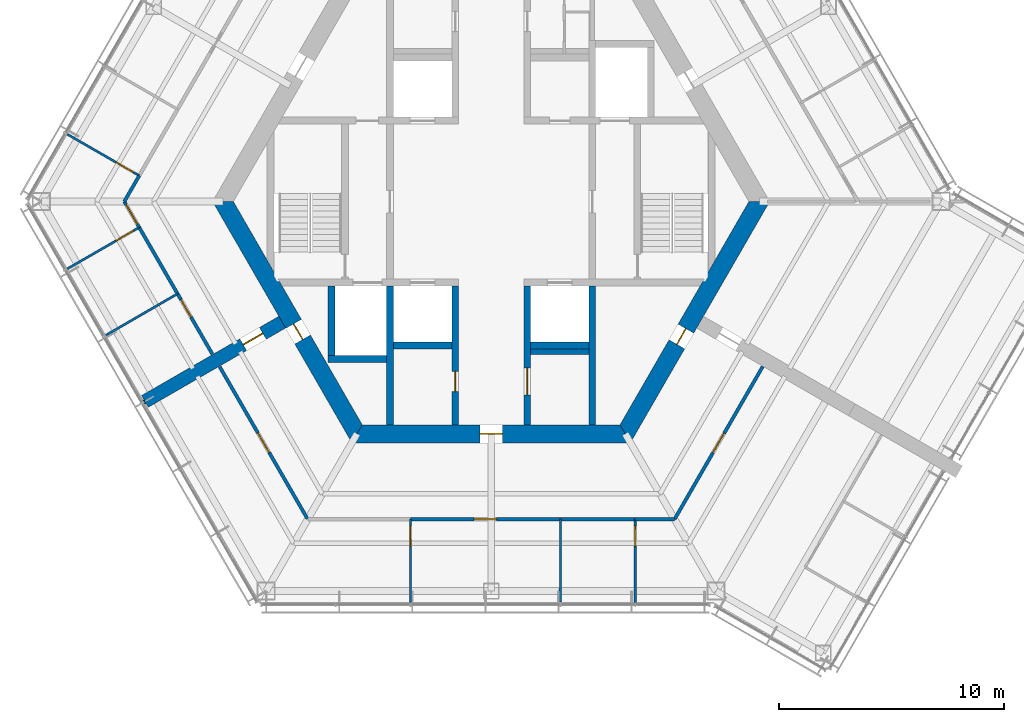
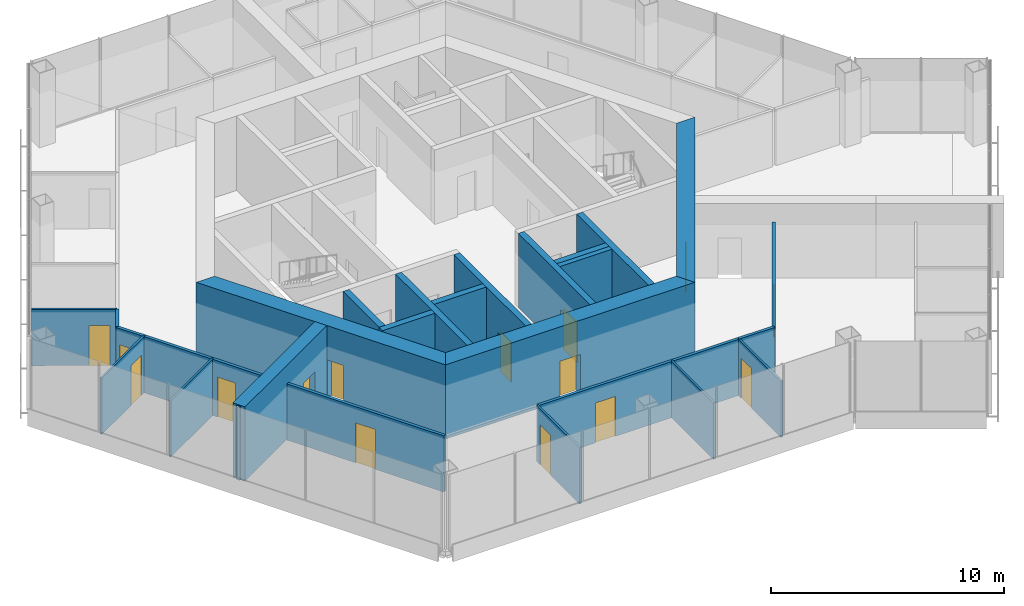
# One storey, part 7 of 13: 29 walls, 15 doors, 15 openings.
"""IFC4 building model written with IfcOpenShell, lengths in metres."""

from ifc_helpers import new_model, si_unit, direction, frame, frame_2d, origin, place, context, subcontext, project, spatial, polyline, rectangle, outline, extrude, material, layer, layer_set, type_object, element, fill, save


model = new_model("IFC4")

# Units and contexts
model_context = context("Model", 3, precision=1e-05, world=origin(), true_north=direction((0.0, 1.0)))
body_context = subcontext(model_context, "Body", "Model", "MODEL_VIEW")
ifc_project = project(units=[si_unit("LENGTHUNIT", "METRE"), si_unit("AREAUNIT", "SQUARE_METRE"), si_unit("VOLUMEUNIT", "CUBIC_METRE"), si_unit("PLANEANGLEUNIT", "RADIAN"), si_unit("MASSUNIT", "GRAM", prefix="KILO")], contexts=[model_context])

# Site, building, storey
site_placement = place(None, origin())
site = spatial("IfcSite", under=ifc_project, at=site_placement, CompositionType="ELEMENT")
building_placement = place(site_placement, origin())
building = spatial("IfcBuilding", under=site, at=building_placement, Name="Kasaneha Research Tower", CompositionType="ELEMENT")
storey_placement = place(building_placement, frame((0.0, 0.0, 283.0)))
storey = spatial("IfcBuildingStorey", under=building, at=storey_placement, Name="L71", CompositionType="ELEMENT", Elevation=283.0)

# Wall, opening, door
ifc_material_1 = material(Name="Concrete Fc60", Category="concrete")
ifc_layer_1 = layer(ifc_material_1, 0.300048828125)
ifc_layer_set_1 = layer_set([ifc_layer_1], Name="Core internal wall 300 Fc60")
wall_type_1 = type_object("IfcWallType", Name="Core internal wall 300 Fc60", PredefinedType="SHEAR", material=ifc_layer_set_1)
wall_1_placement = place(storey_placement, frame((-1.60009765625, -3.75, 0.0), z_axis=(0.0, 0.0, 1.0), x_axis=(0.0, -1.0, 0.0)))
wall_1 = element("IfcWall", 1, at=wall_1_placement, inside=storey, type_object=wall_type_1, Name="Core wall CSW L71", PredefinedType="SHEAR", context=body_context, shape_type="SweptSolid", body=[
    extrude(rectangle(XDim=6.175048828125, YDim=0.300048828125, at=frame_2d((3.08740234375, 0.0))), origin(), (0.0, 0.0, 1.0), 3.89990234375),
])
opening_1_placement = place(wall_1_placement, frame((3.800048828125, 0.0, 0.0)))
opening_1 = element("IfcOpeningElement", 2, at=opening_1_placement, cuts=wall_1, Name="Opening L71-D16", PredefinedType="OPENING", context=body_context, shape_type="SweptSolid", body=[
    extrude(rectangle(XDim=0.89990234375, YDim=2.10009765625, at=frame_2d((0.449951171875, 1.050048828125))), frame((0.0, 0.16015625, 0.0), z_axis=(0.0, -1.0, 0.0), x_axis=(1.0, 0.0, 0.0)), (0.0, 0.0, 1.0), 0.320068359375),
])
ifc_material_2 = material(Name="Steel", Category="steel")
door_type_1 = type_object("IfcDoorType", Name="Riser access door FD60 900x2100", OperationType="NOTDEFINED", PredefinedType="DOOR", material=ifc_material_2)
door_1_placement = place(opening_1_placement, origin())
door_1 = element("IfcDoor", 3, at=door_1_placement, inside=storey, type_object=door_type_1, Name="Electrical riser door L71-D16", OperationType="SINGLE_SWING_LEFT", OverallHeight=2.10009765625, OverallWidth=0.89990234375, PredefinedType="DOOR", context=body_context, shape_type="SweptSolid", body=[
    extrude(rectangle(XDim=0.89990234375, YDim=2.10009765625, at=frame_2d((0.449951171875, 1.050048828125))), frame((0.0, 0.02490234375, 0.0), z_axis=(0.0, -1.0, 0.0), x_axis=(1.0, 0.0, 0.0)), (0.0, 0.0, 1.0), 0.050048828125),
])
fill(opening_1, door_1)

wall_2_placement = place(storey_placement, frame((1.60009765625, -3.75, 0.0), z_axis=(0.0, 0.0, 1.0), x_axis=(0.0, -1.0, 0.0)))
wall_2 = element("IfcWall", 4, at=wall_2_placement, inside=storey, type_object=wall_type_1, Name="Core wall CSE L71", PredefinedType="SHEAR", context=body_context, shape_type="SweptSolid", body=[
    extrude(rectangle(XDim=6.175048828125, YDim=0.300048828125, at=frame_2d((3.08740234375, 0.0))), origin(), (0.0, 0.0, 1.0), 3.89990234375),
])
opening_2_placement = place(wall_2_placement, frame((3.64990234375, 0.0, 0.0)))
opening_2 = element("IfcOpeningElement", 5, at=opening_2_placement, cuts=wall_2, Name="Opening L71-D15", PredefinedType="OPENING", context=body_context, shape_type="SweptSolid", body=[
    extrude(rectangle(XDim=1.199951171875, YDim=2.10009765625, at=frame_2d((0.60009765625, 1.050048828125))), frame((0.0, 0.16015625, 0.0), z_axis=(0.0, -1.0, 0.0), x_axis=(1.0, 0.0, 0.0)), (0.0, 0.0, 1.0), 0.320068359375),
])
ifc_material_3 = material(Name="Steel", Category="steel")
door_type_2 = type_object("IfcDoorType", Name="Accessible toilet sliding door FD20 1200x2100", OperationType="SLIDING_TO_LEFT", PredefinedType="DOOR", material=ifc_material_3)
door_2_placement = place(opening_2_placement, origin())
door_2 = element("IfcDoor", 6, at=door_2_placement, inside=storey, type_object=door_type_2, Name="Accessible WC door L71-D15", OperationType="SLIDING_TO_LEFT", OverallHeight=2.10009765625, OverallWidth=1.199951171875, PredefinedType="DOOR", context=body_context, shape_type="SweptSolid", body=[
    extrude(rectangle(XDim=1.199951171875, YDim=2.10009765625, at=frame_2d((0.60009765625, 1.050048828125))), frame((0.0, 0.02490234375, 0.0), z_axis=(0.0, -1.0, 0.0), x_axis=(1.0, 0.0, 0.0)), (0.0, 0.0, 1.0), 0.050048828125),
])
fill(opening_2, door_2)

# Walls
for number, where, z_axis, x_axis, name in (
    (7, (-4.5, -3.75, 0.0), (0.0, 0.0, 1.0), (0.0, -1.0, 0.0), "Core wall SSW L71"),
    (8, (4.5, -3.75, 0.0), (0.0, 0.0, 1.0), (0.0, -1.0, 0.0), "Core wall SSE L71"),
):
    element("IfcWall", number, at=place(storey_placement, frame(where, z_axis=z_axis, x_axis=x_axis)), inside=storey, type_object=wall_type_1, Name=name, PredefinedType="SHEAR", context=body_context, shape_type="SweptSolid", body=[
        extrude(rectangle(XDim=6.175048828125, YDim=0.300048828125, at=frame_2d((3.08740234375, 0.0))), origin(), (0.0, 0.0, 1.0), 3.89990234375),
    ])
for number, where, z_axis, x_axis, name in (
    (9, (-4.35009765625, -6.39990234375, 0.0), (0.0, 0.0, 1.0), (1.0, 0.0, 0.0), "Core wall S1S L71"),
    (10, (1.75, -6.39990234375, 0.0), (0.0, 0.0, 1.0), (1.0, 0.0, 0.0), "Core wall S3S L71"),
    (11, (-7.25, -7.0, 0.0), (0.0, 0.0, 1.0), (1.0, 0.0, 0.0), "Core wall F2S L71"),
):
    element("IfcWall", number, at=place(storey_placement, frame(where, z_axis=z_axis, x_axis=x_axis)), inside=storey, type_object=wall_type_1, Name=name, PredefinedType="SHEAR", context=body_context, shape_type="SweptSolid", body=[
        extrude(rectangle(XDim=2.60009765625, YDim=0.300048828125, at=frame_2d((1.300048828125, 0.0))), origin(), (0.0, 0.0, 1.0), 3.89990234375),
    ])
wall_3_placement = place(storey_placement, frame((-7.10009765625, -3.75, 0.0), z_axis=(0.0, 0.0, 1.0), x_axis=(0.0, -1.0, 0.0)))
element("IfcWall", 12, at=wall_3_placement, inside=storey, type_object=wall_type_1, Name="Core wall F2W L71", PredefinedType="SHEAR", context=body_context, shape_type="SweptSolid", body=[
    extrude(rectangle(XDim=3.10009765625, YDim=0.300048828125, at=frame_2d((1.550048828125, 0.0))), origin(), (0.0, 0.0, 1.0), 3.89990234375),
])

# Wall, opening, door
ifc_material_4 = material(Name="Concrete Fc60", Category="concrete")
ifc_layer_2 = layer(ifc_material_4, 0.800048828125)
ifc_layer_set_2 = layer_set([ifc_layer_2], Name="Core wall 800 Fc60")
wall_type_2 = type_object("IfcWallType", Name="Core wall 800 Fc60", PredefinedType="SHEAR", material=ifc_layer_set_2)
wall_4_placement = place(storey_placement, frame((-11.92236328125, 0.0, 0.0), z_axis=(0.0, 0.0, 1.0), x_axis=(0.500004296715, -0.866022923061, 0.0)))
wall_4 = element("IfcWall", 13, at=wall_4_placement, inside=storey, type_object=wall_type_2, Name="Core wall 210 L71", PredefinedType="SHEAR", context=body_context, shape_type="SweptSolid", body=[
    extrude(outline(polyline([(-0.23095703125, -0.39990234375), (6.28125, -0.39990234375), (7.081298828125, -0.39990234375), (12.1533203125, -0.39990234375), (11.69140625, 0.39990234375), (7.081298828125, 0.39990234375), (6.28125, 0.39990234375), (0.23095703125, 0.39990234375), (-0.23095703125, -0.39990234375)])), origin(), (0.0, 0.0, 1.0), 3.89990234375),
])
opening_3_placement = place(wall_4_placement, frame((6.28125, 0.0, 0.0)))
opening_3 = element("IfcOpeningElement", 14, at=opening_3_placement, cuts=wall_4, Name="Opening L71-D06", PredefinedType="OPENING", context=body_context, shape_type="SweptSolid", body=[
    extrude(rectangle(XDim=0.800048828125, YDim=2.10009765625, at=frame_2d((0.39990234375, 1.050048828125))), frame((0.0, 0.41015625, 0.0), z_axis=(0.0, -1.0, 0.0), x_axis=(1.0, 0.0, 0.0)), (0.0, 0.0, 1.0), 0.820068359375),
])
ifc_material_5 = material(Name="Steel", Category="steel")
door_type_3 = type_object("IfcDoorType", Name="Riser access door FD60 800x2100", OperationType="NOTDEFINED", PredefinedType="DOOR", material=ifc_material_5)
door_3_placement = place(opening_3_placement, origin())
door_3 = element("IfcDoor", 15, at=door_3_placement, inside=storey, type_object=door_type_3, Name="Duct riser door L71-D06", OperationType="SINGLE_SWING_RIGHT", OverallHeight=2.10009765625, OverallWidth=0.800048828125, PredefinedType="DOOR", context=body_context, shape_type="SweptSolid", body=[
    extrude(rectangle(XDim=0.800048828125, YDim=2.10009765625, at=frame_2d((0.39990234375, 1.050048828125))), frame((0.0, 0.02490234375, 0.0), z_axis=(0.0, -1.0, 0.0), x_axis=(1.0, 0.0, 0.0)), (0.0, 0.0, 1.0), 0.050048828125),
])
fill(opening_3, door_3)

wall_5_placement = place(storey_placement, frame((-5.961181640625, -10.324951171875, 0.0), z_axis=(0.0, 0.0, 1.0), x_axis=(1.0, 0.0, 0.0)))
wall_5 = element("IfcWall", 16, at=wall_5_placement, inside=storey, type_object=wall_type_2, Name="Core wall 270 L71", PredefinedType="SHEAR", context=body_context, shape_type="SweptSolid", body=[
    extrude(outline(polyline([(-0.23095703125, -0.39990234375), (5.461181640625, -0.39990234375), (6.461181640625, -0.39990234375), (12.1533203125, -0.39990234375), (11.69140625, 0.39990234375), (6.461181640625, 0.39990234375), (5.461181640625, 0.39990234375), (0.23095703125, 0.39990234375), (-0.23095703125, -0.39990234375)])), origin(), (0.0, 0.0, 1.0), 3.89990234375),
])
opening_4_placement = place(wall_5_placement, frame((5.461181640625, 0.0, 0.0)))
opening_4 = element("IfcOpeningElement", 17, at=opening_4_placement, cuts=wall_5, Name="Opening L71-D03", PredefinedType="OPENING", context=body_context, shape_type="SweptSolid", body=[
    extrude(rectangle(XDim=1.0, YDim=2.10009765625, at=frame_2d((0.5, 1.050048828125))), frame((0.0, 0.41015625, 0.0), z_axis=(0.0, -1.0, 0.0), x_axis=(1.0, 0.0, 0.0)), (0.0, 0.0, 1.0), 0.820068359375),
])
ifc_material_6 = material(Name="Steel", Category="steel")
door_type_4 = type_object("IfcDoorType", Name="Fire door FD20 1000x2100", OperationType="NOTDEFINED", PredefinedType="DOOR", material=ifc_material_6)
door_4_placement = place(opening_4_placement, origin())
door_4 = element("IfcDoor", 18, at=door_4_placement, inside=storey, type_object=door_type_4, Name="Core door south L71-D03", OperationType="SINGLE_SWING_LEFT", OverallHeight=2.10009765625, OverallWidth=1.0, PredefinedType="DOOR", context=body_context, shape_type="SweptSolid", body=[
    extrude(rectangle(XDim=1.0, YDim=2.10009765625, at=frame_2d((0.5, 1.050048828125))), frame((0.0, 0.02490234375, 0.0), z_axis=(0.0, -1.0, 0.0), x_axis=(1.0, 0.0, 0.0)), (0.0, 0.0, 1.0), 0.050048828125),
])
fill(opening_4, door_4)

wall_6_placement = place(storey_placement, frame((5.961181640625, -10.324951171875, 0.0), z_axis=(0.0, 0.0, 1.0), x_axis=(0.500004296715, 0.866022923061, 0.0)))
wall_6 = element("IfcWall", 19, at=wall_6_placement, inside=storey, type_object=wall_type_2, Name="Core wall 330 L71", PredefinedType="SHEAR", context=body_context, shape_type="SweptSolid", body=[
    extrude(outline(polyline([(-0.23095703125, -0.39990234375), (4.593994140625, -0.39990234375), (5.39404296875, -0.39990234375), (12.1533203125, -0.39990234375), (11.69140625, 0.39990234375), (5.39404296875, 0.39990234375), (4.593994140625, 0.39990234375), (0.23095703125, 0.39990234375), (-0.23095703125, -0.39990234375)])), origin(), (0.0, 0.0, 1.0), 3.89990234375),
])
opening_5_placement = place(wall_6_placement, frame((4.593994140625, 0.0, 0.0)))
opening_5 = element("IfcOpeningElement", 20, at=opening_5_placement, cuts=wall_6, Name="Opening L71-D05", PredefinedType="OPENING", context=body_context, shape_type="SweptSolid", body=[
    extrude(rectangle(XDim=0.800048828125, YDim=2.10009765625, at=frame_2d((0.39990234375, 1.050048828125))), frame((0.0, 0.41015625, 0.0), z_axis=(0.0, -1.0, 0.0), x_axis=(1.0, 0.0, 0.0)), (0.0, 0.0, 1.0), 0.820068359375),
])
door_5_placement = place(opening_5_placement, origin())
door_5 = element("IfcDoor", 21, at=door_5_placement, inside=storey, type_object=door_type_3, Name="Pipe riser door L71-D05", OperationType="SINGLE_SWING_LEFT", OverallHeight=2.10009765625, OverallWidth=0.800048828125, PredefinedType="DOOR", context=body_context, shape_type="SweptSolid", body=[
    extrude(rectangle(XDim=0.800048828125, YDim=2.10009765625, at=frame_2d((0.39990234375, 1.050048828125))), frame((0.0, 0.02490234375, 0.0), z_axis=(0.0, -1.0, 0.0), x_axis=(1.0, 0.0, 0.0)), (0.0, 0.0, 1.0), 0.050048828125),
])
fill(opening_5, door_5)

# Wall
ifc_material_7 = material(Name="Gypsum board on steel studs, one layer each side", Category="steel")
ifc_layer_3 = layer(ifc_material_7, 0.10009765625)
ifc_layer_set_3 = layer_set([ifc_layer_3], Name="Office partition 100")
wall_type_3 = type_object("IfcWallType", Name="Office partition 100", PredefinedType="PARTITIONING", material=ifc_layer_set_3)
wall_7_placement = place(storey_placement, frame((-13.94287109375, -4.100341796875, 0.0), z_axis=(0.0, 0.0, 1.0), x_axis=(-0.865338346589, -0.50118813426, 0.0)))
element("IfcWall", 22, at=wall_7_placement, inside=storey, type_object=wall_type_3, Name="Office partition FBN09 L71", PredefinedType="PARTITIONING", context=body_context, shape_type="SweptSolid", body=[
    extrude(rectangle(XDim=3.67529296875, YDim=0.10009765625, at=frame_2d((1.837646484375, 0.0))), origin(), (0.0, 0.0, 1.0), 2.949951171875),
])

# Wall, opening, door
wall_8_placement = place(storey_placement, frame((-18.83984375, -2.989501953125, 0.0), z_axis=(0.0, 0.0, 1.0), x_axis=(0.866640684195, 0.498932785551, 0.0)))
wall_8 = element("IfcWall", 23, at=wall_8_placement, inside=storey, type_object=wall_type_3, Name="Office partition FBN10 L71", PredefinedType="PARTITIONING", context=body_context, shape_type="SweptSolid", body=[
    extrude(rectangle(XDim=3.685546875, YDim=0.10009765625, at=frame_2d((1.8427734375, 0.0))), origin(), (0.0, 0.0, 1.0), 2.949951171875),
])
opening_6_placement = place(wall_8_placement, frame((2.485595703125, 0.0, 0.0)))
opening_6 = element("IfcOpeningElement", 24, at=opening_6_placement, cuts=wall_8, Name="Opening L71-D35", PredefinedType="OPENING", context=body_context, shape_type="SweptSolid", body=[
    extrude(rectangle(XDim=0.89990234375, YDim=2.10009765625, at=frame_2d((0.449951171875, 1.050048828125))), frame((0.0, 0.06005859375, 0.0), z_axis=(0.0, -1.0, 0.0), x_axis=(1.0, 0.0, 0.0)), (0.0, 0.0, 1.0), 0.1201171875),
])
ifc_material_8 = material(Name="Timber veneer", Category="wood")
door_type_5 = type_object("IfcDoorType", Name="Office door 900x2100", OperationType="SINGLE_SWING_LEFT", PredefinedType="DOOR", material=ifc_material_8)
door_6_placement = place(opening_6_placement, origin())
door_6 = element("IfcDoor", 25, at=door_6_placement, inside=storey, type_object=door_type_5, Name="Executive office door L71-D35", OperationType="SINGLE_SWING_RIGHT", OverallHeight=2.10009765625, OverallWidth=0.89990234375, PredefinedType="DOOR", context=body_context, shape_type="SweptSolid", body=[
    extrude(rectangle(XDim=0.89990234375, YDim=2.10009765625, at=frame_2d((0.449951171875, 1.050048828125))), frame((0.0, 0.02490234375, 0.0), z_axis=(0.0, -1.0, 0.0), x_axis=(1.0, 0.0, 0.0)), (0.0, 0.0, 1.0), 0.050048828125),
])
fill(opening_6, door_6)

wall_9_placement = place(storey_placement, frame((-15.645751953125, 1.150634765625, 0.0), z_axis=(0.0, 0.0, 1.0), x_axis=(-0.866640684195, 0.498932785551, 0.0)))
wall_9 = element("IfcWall", 26, at=wall_9_placement, inside=storey, type_object=wall_type_3, Name="Office partition FBN12 L71", PredefinedType="PARTITIONING", context=body_context, shape_type="SweptSolid", body=[
    extrude(rectangle(XDim=3.685546875, YDim=0.10009765625, at=frame_2d((1.8427734375, 0.0))), origin(), (0.0, 0.0, 1.0), 2.949951171875),
])
opening_7_placement = place(wall_9_placement, frame((0.300048828125, 0.0, 0.0)))
opening_7 = element("IfcOpeningElement", 27, at=opening_7_placement, cuts=wall_9, Name="Opening L71-D36", PredefinedType="OPENING", context=body_context, shape_type="SweptSolid", body=[
    extrude(rectangle(XDim=0.89990234375, YDim=2.10009765625, at=frame_2d((0.449951171875, 1.050048828125))), frame((0.0, 0.06005859375, 0.0), z_axis=(0.0, -1.0, 0.0), x_axis=(1.0, 0.0, 0.0)), (0.0, 0.0, 1.0), 0.1201171875),
])
door_7_placement = place(opening_7_placement, origin())
door_7 = element("IfcDoor", 28, at=door_7_placement, inside=storey, type_object=door_type_5, Name="Phone room door L71-D36", OperationType="SINGLE_SWING_LEFT", OverallHeight=2.10009765625, OverallWidth=0.89990234375, PredefinedType="DOOR", context=body_context, shape_type="SweptSolid", body=[
    extrude(rectangle(XDim=0.89990234375, YDim=2.10009765625, at=frame_2d((0.449951171875, 1.050048828125))), frame((0.0, 0.02490234375, 0.0), z_axis=(0.0, -1.0, 0.0), x_axis=(1.0, 0.0, 0.0)), (0.0, 0.0, 1.0), 0.050048828125),
])
fill(opening_7, door_7)

wall_10_placement = place(storey_placement, frame((6.40380859375, -14.125, 0.0), z_axis=(0.0, 0.0, 1.0), x_axis=(0.001250163518, -0.999999218545, 0.0)))
wall_10 = element("IfcWall", 29, at=wall_10_placement, inside=storey, type_object=wall_type_3, Name="Office partition FCS06 L71", PredefinedType="PARTITIONING", context=body_context, shape_type="SweptSolid", body=[
    extrude(rectangle(XDim=3.71044921875, YDim=0.10009765625, at=frame_2d((1.855224609375, 0.0))), origin(), (0.0, 0.0, 1.0), 2.949951171875),
])
opening_8_placement = place(wall_10_placement, frame((0.300048828125, 0.0, 0.0)))
opening_8 = element("IfcOpeningElement", 30, at=opening_8_placement, cuts=wall_10, Name="Opening L71-D40", PredefinedType="OPENING", context=body_context, shape_type="SweptSolid", body=[
    extrude(rectangle(XDim=0.89990234375, YDim=2.10009765625, at=frame_2d((0.449951171875, 1.050048828125))), frame((0.0, 0.06005859375, 0.0), z_axis=(0.0, -1.0, 0.0), x_axis=(1.0, 0.0, 0.0)), (0.0, 0.0, 1.0), 0.1201171875),
])
door_8_placement = place(opening_8_placement, origin())
door_8 = element("IfcDoor", 31, at=door_8_placement, inside=storey, type_object=door_type_5, Name="Reading room door L71-D40", OperationType="SINGLE_SWING_LEFT", OverallHeight=2.10009765625, OverallWidth=0.89990234375, PredefinedType="DOOR", context=body_context, shape_type="SweptSolid", body=[
    extrude(rectangle(XDim=0.89990234375, YDim=2.10009765625, at=frame_2d((0.449951171875, 1.050048828125))), frame((0.0, 0.02490234375, 0.0), z_axis=(0.0, -1.0, 0.0), x_axis=(1.0, 0.0, 0.0)), (0.0, 0.0, 1.0), 0.050048828125),
])
fill(opening_8, door_8)

# Wall
wall_11_placement = place(storey_placement, frame((3.077392578125, -17.800537109375, 0.0), z_axis=(0.0, 0.0, 1.0), x_axis=(0.00119561522, 0.999999285252, 0.0)))
element("IfcWall", 32, at=wall_11_placement, inside=storey, type_object=wall_type_3, Name="Office partition FCS07 L71", PredefinedType="PARTITIONING", context=body_context, shape_type="SweptSolid", body=[
    extrude(rectangle(XDim=3.675537109375, YDim=0.10009765625, at=frame_2d((1.837890625, 0.0))), origin(), (0.0, 0.0, 1.0), 2.949951171875),
])

# Wall, opening, door
wall_12_placement = place(storey_placement, frame((-3.589111328125, -14.125, 0.0), z_axis=(0.0, 0.0, 1.0), x_axis=(0.001250163518, -0.999999218545, 0.0)))
wall_12 = element("IfcWall", 33, at=wall_12_placement, inside=storey, type_object=wall_type_3, Name="Office partition FCS08 L71", PredefinedType="PARTITIONING", context=body_context, shape_type="SweptSolid", body=[
    extrude(rectangle(XDim=3.71044921875, YDim=0.10009765625, at=frame_2d((1.855224609375, 0.0))), origin(), (0.0, 0.0, 1.0), 2.949951171875),
])
opening_9_placement = place(wall_12_placement, frame((0.300048828125, 0.0, 0.0)))
opening_9 = element("IfcOpeningElement", 34, at=opening_9_placement, cuts=wall_12, Name="Opening L71-D41", PredefinedType="OPENING", context=body_context, shape_type="SweptSolid", body=[
    extrude(rectangle(XDim=0.89990234375, YDim=2.10009765625, at=frame_2d((0.449951171875, 1.050048828125))), frame((0.0, 0.06005859375, 0.0), z_axis=(0.0, -1.0, 0.0), x_axis=(1.0, 0.0, 0.0)), (0.0, 0.0, 1.0), 0.1201171875),
])
door_9_placement = place(opening_9_placement, origin())
door_9 = element("IfcDoor", 35, at=door_9_placement, inside=storey, type_object=door_type_5, Name="Project room door L71-D41", OperationType="SINGLE_SWING_LEFT", OverallHeight=2.10009765625, OverallWidth=0.89990234375, PredefinedType="DOOR", context=body_context, shape_type="SweptSolid", body=[
    extrude(rectangle(XDim=0.89990234375, YDim=2.10009765625, at=frame_2d((0.449951171875, 1.050048828125))), frame((0.0, 0.02490234375, 0.0), z_axis=(0.0, -1.0, 0.0), x_axis=(1.0, 0.0, 0.0)), (0.0, 0.0, 1.0), 0.050048828125),
])
fill(opening_9, door_9)

ifc_material_9 = material(Name="Concrete Fc60", Category="concrete")
ifc_layer_4 = layer(ifc_material_9, 0.60009765625)
ifc_layer_set_4 = layer_set([ifc_layer_4], Name="Spine wall 600 Fc60")
wall_type_4 = type_object("IfcWallType", Name="Spine wall 600 Fc60", PredefinedType="SHEAR", material=ifc_layer_set_4)
wall_13_placement = place(storey_placement, frame((-9.2880859375, -5.362548828125, 0.0), z_axis=(0.0, 0.0, 1.0), x_axis=(-0.866027473358, -0.499996415376, 0.0)))
wall_13 = element("IfcWall", 36, at=wall_13_placement, inside=storey, type_object=wall_type_4, Name="Spine wall B L71", PredefinedType="SHEAR", context=body_context, shape_type="SweptSolid", body=[
    extrude(rectangle(XDim=7.04541015625, YDim=0.60009765625, at=frame_2d((3.522705078125, 0.0))), origin(), (0.0, 0.0, 1.0), 3.89990234375),
])
opening_10_placement = place(wall_13_placement, frame((1.0, 0.0, 0.0)))
opening_10 = element("IfcOpeningElement", 37, at=opening_10_placement, cuts=wall_13, Name="Opening L71-D19", PredefinedType="OPENING", context=body_context, shape_type="SweptSolid", body=[
    extrude(rectangle(XDim=1.0, YDim=2.10009765625, at=frame_2d((0.5, 1.050048828125))), frame((0.0, 0.31005859375, 0.0), z_axis=(0.0, -1.0, 0.0), x_axis=(1.0, 0.0, 0.0)), (0.0, 0.0, 1.0), 0.6201171875),
])
ifc_material_10 = material(Name="Steel", Category="steel")
door_type_6 = type_object("IfcDoorType", Name="Specified fire door FD60 1000x2100", OperationType="NOTDEFINED", PredefinedType="DOOR", material=ifc_material_10)
door_10_placement = place(opening_10_placement, origin())
door_10 = element("IfcDoor", 38, at=door_10_placement, inside=storey, type_object=door_type_6, Name="Spine doorway B L71-D19", OperationType="SINGLE_SWING_LEFT", OverallHeight=2.10009765625, OverallWidth=1.0, PredefinedType="DOOR", context=body_context, shape_type="SweptSolid", body=[
    extrude(rectangle(XDim=1.0, YDim=2.10009765625, at=frame_2d((0.5, 1.050048828125))), frame((0.0, 0.02490234375, 0.0), z_axis=(0.0, -1.0, 0.0), x_axis=(1.0, 0.0, 0.0)), (0.0, 0.0, 1.0), 0.050048828125),
])
fill(opening_10, door_10)

# Wall
ifc_material_11 = material(Name="Gypsum board on steel studs, two layers each side", Category="steel")
ifc_layer_5 = layer(ifc_material_11, 0.14990234375)
ifc_layer_set_5 = layer_set([ifc_layer_5], Name="Suite partition 150")
wall_type_5 = type_object("IfcWallType", Name="Suite partition 150", PredefinedType="PARTITIONING", material=ifc_layer_set_5)
wall_14_placement = place(storey_placement, frame((-13.937744140625, -4.10888671875, 0.0), z_axis=(0.0, 0.0, 1.0), x_axis=(-0.500032973541, 0.866006365664, 0.0)))
element("IfcWall", 39, at=wall_14_placement, inside=storey, type_object=wall_type_5, Name="Suite partition FBN02 L71", PredefinedType="PARTITIONING", context=body_context, shape_type="SweptSolid", body=[
    extrude(rectangle(XDim=3.425537109375, YDim=0.14990234375, at=frame_2d((1.712890625, 0.0))), origin(), (0.0, 0.0, 1.0), 2.949951171875),
])

# Wall, opening, door
wall_15_placement = place(storey_placement, frame((-12.392578125, -6.785400390625, 0.0), z_axis=(0.0, 0.0, 1.0), x_axis=(-0.500017819788, 0.86601511528, 0.0)))
wall_15 = element("IfcWall", 40, at=wall_15_placement, inside=storey, type_object=wall_type_5, Name="Suite partition FBN03 L71", PredefinedType="PARTITIONING", context=body_context, shape_type="SweptSolid", body=[
    extrude(rectangle(XDim=3.1005859375, YDim=0.14990234375, at=frame_2d((1.55029296875, 0.0))), origin(), (0.0, 0.0, 1.0), 2.949951171875),
])
opening_11_placement = place(wall_15_placement, frame((1.900390625, 0.0, 0.0)))
opening_11 = element("IfcOpeningElement", 41, at=opening_11_placement, cuts=wall_15, Name="Opening L71-D31", PredefinedType="OPENING", context=body_context, shape_type="SweptSolid", body=[
    extrude(rectangle(XDim=0.89990234375, YDim=2.10009765625, at=frame_2d((0.449951171875, 1.050048828125))), frame((0.0, 0.0849609375, 0.0), z_axis=(0.0, -1.0, 0.0), x_axis=(1.0, 0.0, 0.0)), (0.0, 0.0, 1.0), 0.169921875),
])
door_11_placement = place(opening_11_placement, origin())
door_11 = element("IfcDoor", 42, at=door_11_placement, inside=storey, type_object=door_type_5, Name="Executive office door L71-D31", OperationType="SINGLE_SWING_RIGHT", OverallHeight=2.10009765625, OverallWidth=0.89990234375, PredefinedType="DOOR", context=body_context, shape_type="SweptSolid", body=[
    extrude(rectangle(XDim=0.89990234375, YDim=2.10009765625, at=frame_2d((0.449951171875, 1.050048828125))), frame((0.0, 0.02490234375, 0.0), z_axis=(0.0, -1.0, 0.0), x_axis=(1.0, 0.0, 0.0)), (0.0, 0.0, 1.0), 0.050048828125),
])
fill(opening_11, door_11)

# Wall
wall_16_placement = place(storey_placement, frame((-16.31005859375, 0.0, 0.0), z_axis=(0.0, 0.0, 1.0), x_axis=(0.49999285859, 0.86602952684, 0.0)))
element("IfcWall", 43, at=wall_16_placement, inside=storey, type_object=wall_type_5, Name="Suite partition FBN06 L71", PredefinedType="PARTITIONING", context=body_context, shape_type="SweptSolid", body=[
    extrude(rectangle(XDim=1.32861328125, YDim=0.14990234375, at=frame_2d((0.664306640625, 0.0))), origin(), (0.0, 0.0, 1.0), 2.949951171875),
])

# Wall, opening, door
wall_17_placement = place(storey_placement, frame((-15.645751953125, -1.150634765625, 0.0), z_axis=(0.0, 0.0, 1.0), x_axis=(-0.49999285859, 0.86602952684, 0.0)))
wall_17 = element("IfcWall", 44, at=wall_17_placement, inside=storey, type_object=wall_type_5, Name="Suite partition FBN07 L71", PredefinedType="PARTITIONING", context=body_context, shape_type="SweptSolid", body=[
    extrude(rectangle(XDim=1.32861328125, YDim=0.14990234375, at=frame_2d((0.664306640625, 0.0))), origin(), (0.0, 0.0, 1.0), 2.949951171875),
])
opening_12_placement = place(wall_17_placement, frame((0.164306640625, 0.0, 0.0)))
opening_12 = element("IfcOpeningElement", 45, at=opening_12_placement, cuts=wall_17, Name="Opening L71-D33", PredefinedType="OPENING", context=body_context, shape_type="SweptSolid", body=[
    extrude(rectangle(XDim=1.0, YDim=2.10009765625, at=frame_2d((0.5, 1.050048828125))), frame((0.0, 0.0849609375, 0.0), z_axis=(0.0, -1.0, 0.0), x_axis=(1.0, 0.0, 0.0)), (0.0, 0.0, 1.0), 0.169921875),
])
ifc_material_12 = material(Name="Steel", Category="steel")
door_type_7 = type_object("IfcDoorType", Name="Suite entrance door FD60 1000x2100", OperationType="NOTDEFINED", PredefinedType="DOOR", material=ifc_material_12)
door_12_placement = place(opening_12_placement, origin())
door_12 = element("IfcDoor", 46, at=door_12_placement, inside=storey, type_object=door_type_7, Name="Suite entrance door L71-D33", OperationType="SINGLE_SWING_LEFT", OverallHeight=2.10009765625, OverallWidth=1.0, PredefinedType="DOOR", context=body_context, shape_type="SweptSolid", body=[
    extrude(rectangle(XDim=1.0, YDim=2.10009765625, at=frame_2d((0.5, 1.050048828125))), frame((0.0, 0.02490234375, 0.0), z_axis=(0.0, -1.0, 0.0), x_axis=(1.0, 0.0, 0.0)), (0.0, 0.0, 1.0), 0.050048828125),
])
fill(opening_12, door_12)

wall_18_placement = place(storey_placement, frame((-8.16650390625, -14.10498046875, 0.0), z_axis=(0.0, 0.0, 1.0), x_axis=(-0.500001094379, 0.866024771944, 0.0)))
wall_18 = element("IfcWall", 47, at=wall_18_placement, inside=storey, type_object=wall_type_5, Name="Suite partition FBS01 L71", PredefinedType="PARTITIONING", context=body_context, shape_type="SweptSolid", body=[
    extrude(rectangle(XDim=7.81201171875, YDim=0.14990234375, at=frame_2d((3.906005859375, 0.0))), origin(), (0.0, 0.0, 1.0), 2.949951171875),
])
opening_13_placement = place(wall_18_placement, frame((3.406005859375, 0.0, 0.0)))
opening_13 = element("IfcOpeningElement", 48, at=opening_13_placement, cuts=wall_18, Name="Opening L71-D37", PredefinedType="OPENING", context=body_context, shape_type="SweptSolid", body=[
    extrude(rectangle(XDim=1.0, YDim=2.10009765625, at=frame_2d((0.5, 1.050048828125))), frame((0.0, 0.0849609375, 0.0), z_axis=(0.0, -1.0, 0.0), x_axis=(1.0, 0.0, 0.0)), (0.0, 0.0, 1.0), 0.169921875),
])
door_13_placement = place(opening_13_placement, origin())
door_13 = element("IfcDoor", 49, at=door_13_placement, inside=storey, type_object=door_type_7, Name="Suite entrance door L71-D37", OperationType="SINGLE_SWING_LEFT", OverallHeight=2.10009765625, OverallWidth=1.0, PredefinedType="DOOR", context=body_context, shape_type="SweptSolid", body=[
    extrude(rectangle(XDim=1.0, YDim=2.10009765625, at=frame_2d((0.5, 1.050048828125))), frame((0.0, 0.02490234375, 0.0), z_axis=(0.0, -1.0, 0.0), x_axis=(1.0, 0.0, 0.0)), (0.0, 0.0, 1.0), 0.050048828125),
])
fill(opening_13, door_13)

# Walls
wall_19_placement = place(storey_placement, frame((6.413330078125, -14.125, 0.0), z_axis=(0.0, 0.0, 1.0), x_axis=(-1.0, 0.0, 0.0)))
element("IfcWall", 50, at=wall_19_placement, inside=storey, type_object=wall_type_5, Name="Suite partition FCS01 L71", PredefinedType="PARTITIONING", context=body_context, shape_type="SweptSolid", body=[
    extrude(rectangle(XDim=3.3408203125, YDim=0.14990234375, at=frame_2d((1.67041015625, 0.0))), origin(), (0.0, 0.0, 1.0), 2.949951171875),
])
wall_20_placement = place(storey_placement, frame((8.155029296875, -14.125, 0.0), z_axis=(0.0, 0.0, 1.0), x_axis=(-1.0, 0.0, 0.0)))
element("IfcWall", 51, at=wall_20_placement, inside=storey, type_object=wall_type_5, Name="Suite partition FCS03 L71", PredefinedType="PARTITIONING", context=body_context, shape_type="SweptSolid", body=[
    extrude(rectangle(XDim=1.751220703125, YDim=0.14990234375, at=frame_2d((0.87548828125, 0.0))), origin(), (0.0, 0.0, 1.0), 2.949951171875),
])

# Wall, opening, door
wall_21_placement = place(storey_placement, frame((12.072509765625, -7.339599609375, 0.0), z_axis=(0.0, 0.0, 1.0), x_axis=(-0.49999308173, -0.866029398013, 0.0)))
wall_21 = element("IfcWall", 52, at=wall_21_placement, inside=storey, type_object=wall_type_5, Name="Suite partition FCS04 L71", PredefinedType="PARTITIONING", context=body_context, shape_type="SweptSolid", body=[
    extrude(rectangle(XDim=7.8349609375, YDim=0.14990234375, at=frame_2d((3.91748046875, 0.0))), origin(), (0.0, 0.0, 1.0), 2.949951171875),
])
opening_14_placement = place(wall_21_placement, frame((3.41748046875, 0.0, 0.0)))
opening_14 = element("IfcOpeningElement", 53, at=opening_14_placement, cuts=wall_21, Name="Opening L71-D38", PredefinedType="OPENING", context=body_context, shape_type="SweptSolid", body=[
    extrude(rectangle(XDim=1.0, YDim=2.10009765625, at=frame_2d((0.5, 1.050048828125))), frame((0.0, 0.0849609375, 0.0), z_axis=(0.0, -1.0, 0.0), x_axis=(1.0, 0.0, 0.0)), (0.0, 0.0, 1.0), 0.169921875),
])
door_14_placement = place(opening_14_placement, origin())
door_14 = element("IfcDoor", 54, at=door_14_placement, inside=storey, type_object=door_type_7, Name="Suite entrance door L71-D38", OperationType="SINGLE_SWING_RIGHT", OverallHeight=2.10009765625, OverallWidth=1.0, PredefinedType="DOOR", context=body_context, shape_type="SweptSolid", body=[
    extrude(rectangle(XDim=1.0, YDim=2.10009765625, at=frame_2d((0.5, 1.050048828125))), frame((0.0, 0.02490234375, 0.0), z_axis=(0.0, -1.0, 0.0), x_axis=(1.0, 0.0, 0.0)), (0.0, 0.0, 1.0), 0.050048828125),
])
fill(opening_14, door_14)

wall_22_placement = place(storey_placement, frame((3.081787109375, -14.125, 0.0), z_axis=(0.0, 0.0, 1.0), x_axis=(-1.0, 0.0, 0.0)))
wall_22 = element("IfcWall", 55, at=wall_22_placement, inside=storey, type_object=wall_type_5, Name="Suite partition FCS05 L71", PredefinedType="PARTITIONING", context=body_context, shape_type="SweptSolid", body=[
    extrude(rectangle(XDim=6.6708984375, YDim=0.14990234375, at=frame_2d((3.33544921875, 0.0))), origin(), (0.0, 0.0, 1.0), 2.949951171875),
])
opening_15_placement = place(wall_22_placement, frame((2.83544921875, 0.0, 0.0)))
opening_15 = element("IfcOpeningElement", 56, at=opening_15_placement, cuts=wall_22, Name="Opening L71-D39", PredefinedType="OPENING", context=body_context, shape_type="SweptSolid", body=[
    extrude(rectangle(XDim=1.0, YDim=2.10009765625, at=frame_2d((0.5, 1.050048828125))), frame((0.0, 0.0849609375, 0.0), z_axis=(0.0, -1.0, 0.0), x_axis=(1.0, 0.0, 0.0)), (0.0, 0.0, 1.0), 0.169921875),
])
door_15_placement = place(opening_15_placement, origin())
door_15 = element("IfcDoor", 57, at=door_15_placement, inside=storey, type_object=door_type_7, Name="Suite entrance door L71-D39", OperationType="SINGLE_SWING_LEFT", OverallHeight=2.10009765625, OverallWidth=1.0, PredefinedType="DOOR", context=body_context, shape_type="SweptSolid", body=[
    extrude(rectangle(XDim=1.0, YDim=2.10009765625, at=frame_2d((0.5, 1.050048828125))), frame((0.0, 0.02490234375, 0.0), z_axis=(0.0, -1.0, 0.0), x_axis=(1.0, 0.0, 0.0)), (0.0, 0.0, 1.0), 0.050048828125),
])
fill(opening_15, door_15)

# Walls
ifc_material_13 = material(Name="Gypsum board on steel studs, two layers each side", Category="steel")
ifc_layer_6 = layer(ifc_material_13, 0.175048828125)
ifc_layer_set_6 = layer_set([ifc_layer_6], Name="Tenancy fire partition 175")
wall_type_6 = type_object("IfcWallType", Name="Tenancy fire partition 175", PredefinedType="PARTITIONING", material=ifc_layer_set_6)
wall_23_placement = place(storey_placement, frame((-15.3896484375, -8.88525390625, 0.0), z_axis=(0.0, 0.0, 1.0), x_axis=(-0.866622456874, -0.498964444867, 0.0)))
element("IfcWall", 58, at=wall_23_placement, inside=storey, type_object=wall_type_6, Name="Spine wall closer SW4-600 L71", PredefinedType="PARTITIONING", context=body_context, shape_type="SweptSolid", body=[
    extrude(rectangle(XDim=0.065185546875, YDim=0.175048828125, at=frame_2d((0.03271484375, 0.0))), origin(), (0.0, 0.0, 1.0), 3.89990234375),
])
ifc_material_14 = material(Name="Concrete block lining", Category="concrete")
ifc_layer_7 = layer(ifc_material_14, 0.25)
ifc_layer_set_7 = layer_set([ifc_layer_7], Name="WC plumbing wall 250")
wall_type_7 = type_object("IfcWallType", Name="WC plumbing wall 250", PredefinedType="PLUMBINGWALL", material=ifc_layer_set_7)
wall_24_placement = place(storey_placement, frame((1.75, -6.675048828125, 0.0), z_axis=(0.0, 0.0, 1.0), x_axis=(1.0, 0.0, 0.0)))
element("IfcWall", 59, at=wall_24_placement, inside=storey, type_object=wall_type_7, Name="WC plumbing wall A L71", PredefinedType="PLUMBINGWALL", context=body_context, shape_type="SweptSolid", body=[
    extrude(rectangle(XDim=2.60009765625, YDim=0.25, at=frame_2d((1.300048828125, 0.0))), origin(), (0.0, 0.0, 1.0), 3.89990234375),
])

save(model, "model.ifc")
